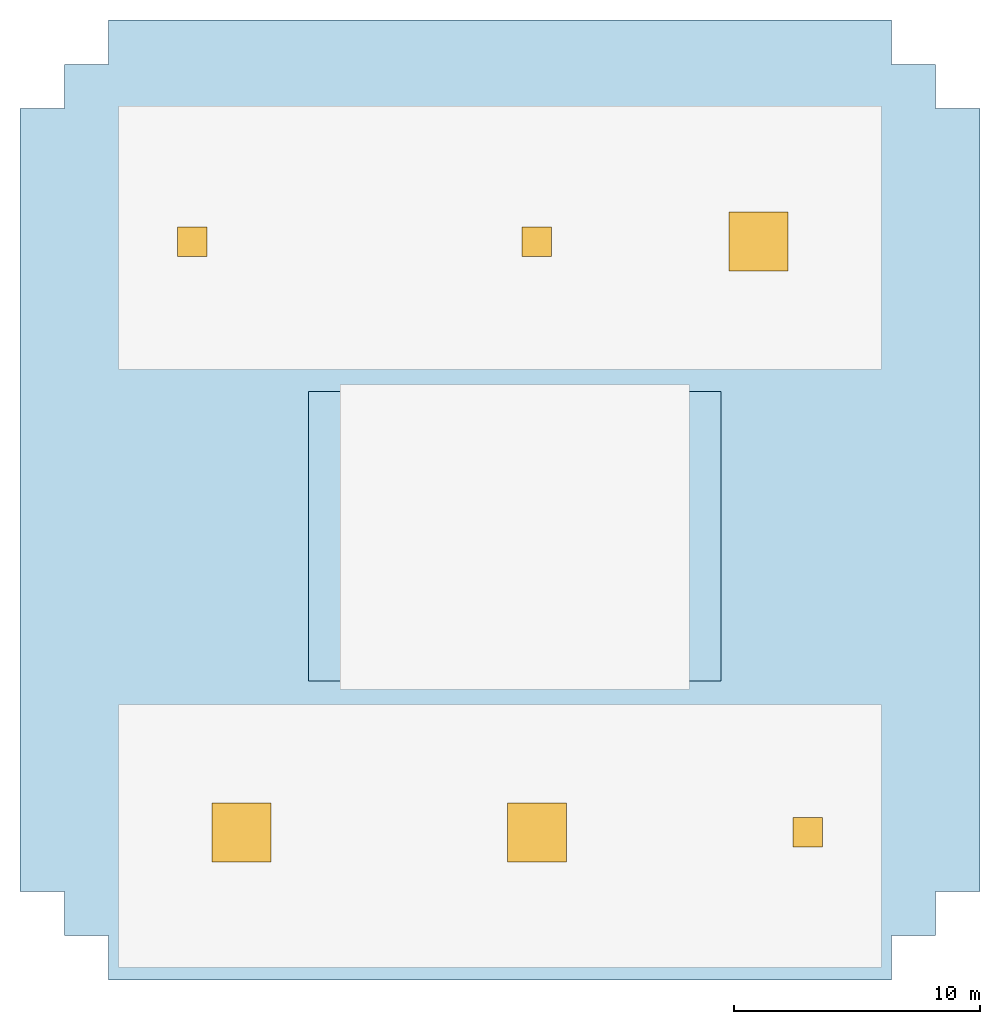
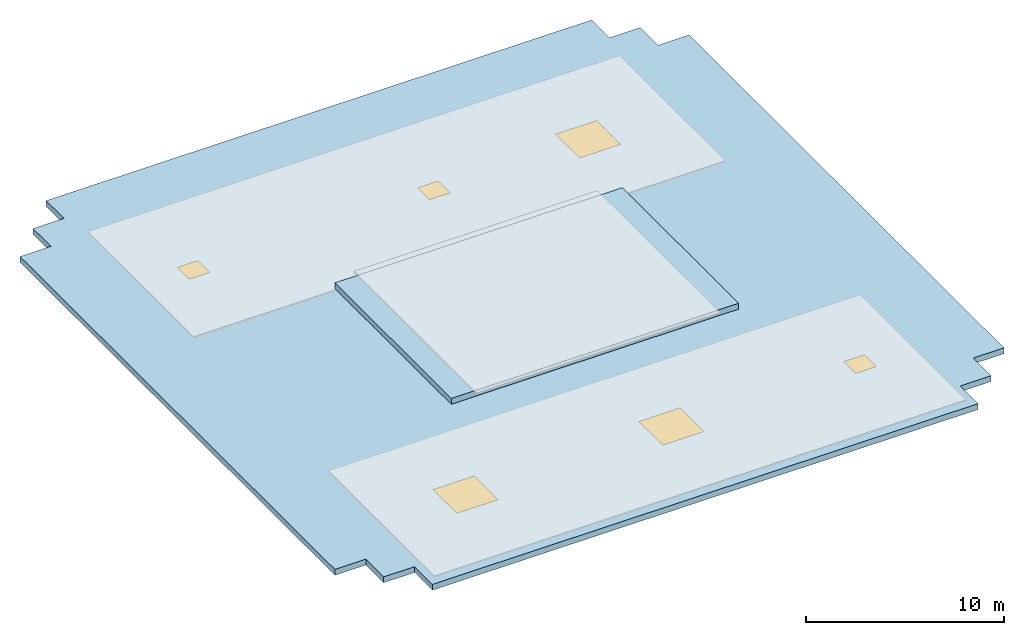
# One storey, part 1 of 2: 6 windows, 2 slabs, 6 openings.
"""IFC4 building model written with IfcOpenShell, lengths in metres."""

import ifcopenshell
import ifcopenshell.guid

model = None  # the IFC model being written
_history = None  # IfcOwnerHistory: only IFC2X3 demands one
_inside = {}  # id of a spatial element -> (the spatial element, [elements in it])
_under = {}  # id of a project, library or spatial element -> (it, [spatial elements below it])
_declared = {}  # id of a project -> (the project, [libraries it declares])
_typed = {}  # id of a type object -> (the type object, [elements of that type])
_made_of = {}  # id of a material, layer set ... -> (it, [elements and type objects made of it])


def new_model(schema):
    """Start an empty IFC model of exactly this schema.

    Asked for "IFC4X3", IfcOpenShell would pick the latest addendum, in which some entities
    have other attributes; the version numbers below select the first issue.
    IFC2X3 requires an IfcOwnerHistory on every rooted entity: one is made here for all.
    """
    global model, _history
    if schema == "IFC4X3":
        model = ifcopenshell.file(schema_version=(4, 3, 0, 0))
    else:
        model = ifcopenshell.file(schema=schema)
    _inside.clear()
    _under.clear()
    _declared.clear()
    _typed.clear()
    _made_of.clear()
    _history = None
    if model.schema == "IFC2X3":
        org = make("IfcOrganization", Name="unknown")
        user = make(
            "IfcPersonAndOrganization",
            ThePerson=make("IfcPerson", FamilyName="unknown"),
            TheOrganization=org,
        )
        app = make(
            "IfcApplication",
            ApplicationDeveloper=org,
            Version="unknown",
            ApplicationFullName="unknown",
            ApplicationIdentifier="unknown",
        )
        _history = make(
            "IfcOwnerHistory",
            OwningUser=user,
            OwningApplication=app,
            ChangeAction="ADDED",
            CreationDate=0,
        )
    return model


def make(cls, **values):
    """One entity of the class cls with the attributes given. An attribute that is None is left unset."""
    return model.create_entity(
        cls, **{name: value for name, value in values.items() if value is not None}
    )


def rooted(cls, **values):
    """An entity with a GlobalId (a new one), such as an element, a storey or a relation."""
    return make(cls, GlobalId=ifcopenshell.guid.new(), OwnerHistory=_history, **values)


def si_unit(unit_type, name, prefix=None):
    """IfcSIUnit, for example si_unit("LENGTHUNIT", "METRE", prefix="MILLI")."""
    return make("IfcSIUnit", UnitType=unit_type, Prefix=prefix, Name=name)


def assignment(units):
    """IfcUnitAssignment: the units of a project."""
    return None if units is None else make("IfcUnitAssignment", Units=units)


def point(xyz):
    """IfcCartesianPoint."""
    return None if xyz is None else make("IfcCartesianPoint", Coordinates=xyz)


def direction(xyz):
    """IfcDirection."""
    return None if xyz is None else make("IfcDirection", DirectionRatios=xyz)


def frame(location, z_axis=None, x_axis=None):
    """IfcAxis2Placement3D, a coordinate frame: its origin and axes. An axis left out is left unset."""
    return make(
        "IfcAxis2Placement3D",
        Location=point(location),
        Axis=direction(z_axis),
        RefDirection=direction(x_axis),
    )


def frame_2d(location, x_axis=None):
    """IfcAxis2Placement2D, a coordinate frame in the plane: its origin and x axis."""
    return make(
        "IfcAxis2Placement2D", Location=point(location), RefDirection=direction(x_axis)
    )


def origin():
    """The frame at (0, 0, 0) with its axes left unset."""
    return frame((0.0, 0.0, 0.0))


def origin_2d():
    """The frame at (0, 0) in the plane with its x axis left unset."""
    return frame_2d((0.0, 0.0))


def place(relative_to, where):
    """IfcLocalPlacement: puts the frame where relative to a parent placement (None: the world)."""
    return make(
        "IfcLocalPlacement", PlacementRelTo=relative_to, RelativePlacement=where
    )


def context(
    kind, dimensions, precision=None, world=None, true_north=None, identifier=None
):
    """IfcGeometricRepresentationContext, for example the 3D "Model" context."""
    return make(
        "IfcGeometricRepresentationContext",
        ContextIdentifier=identifier,
        ContextType=kind,
        CoordinateSpaceDimension=dimensions,
        Precision=precision,
        WorldCoordinateSystem=world,
        TrueNorth=true_north,
    )


def subcontext(parent, identifier, kind, view, scale=None):
    """IfcGeometricRepresentationSubContext, for example "Body" below "Model"."""
    return make(
        "IfcGeometricRepresentationSubContext",
        ContextIdentifier=identifier,
        ContextType=kind,
        ParentContext=parent,
        TargetScale=scale,
        TargetView=view,
    )


def project(units=None, contexts=None):
    """IfcProject with its units and contexts."""
    return rooted(
        "IfcProject",
        Name="project",
        RepresentationContexts=contexts,
        UnitsInContext=assignment(units),
    )


def spatial(cls, under=None, at=None, **own):
    """A site, building, storey or space (cls), placed at a placement, below another one or the project."""
    s = rooted(cls, ObjectPlacement=at, **own)
    if under is not None:
        _under.setdefault(under.id(), (under, []))[1].append(s)
    return s


def polyline(points):
    """IfcPolyline through the points."""
    return make("IfcPolyline", Points=[point(p) for p in points])


def profile(cls, at=None, kind="AREA", **sizes):
    """A parametric profile (cls). Its sizes go by their IFC names, for example OverallWidth=200.0."""
    return make(cls, ProfileType=kind, Position=at, **sizes)


def rectangle(**sizes):
    """IfcRectangleProfileDef."""
    return profile("IfcRectangleProfileDef", **sizes)


def outline(outer, holes=None, kind="AREA"):
    """IfcArbitraryClosedProfileDef: a profile drawn as a closed curve; with holes, ...WithVoids."""
    if holes is None:
        return make("IfcArbitraryClosedProfileDef", ProfileType=kind, OuterCurve=outer)
    return make(
        "IfcArbitraryProfileDefWithVoids",
        ProfileType=kind,
        OuterCurve=outer,
        InnerCurves=holes,
    )


def extrude(swept, where, along, depth):
    """IfcExtrudedAreaSolid: the profile swept, set in the frame where, extruded along a direction by depth."""
    return make(
        "IfcExtrudedAreaSolid",
        SweptArea=swept,
        Position=where,
        ExtrudedDirection=direction(along),
        Depth=depth,
    )


def shape(context_of_items, identifier, shape_type, items):
    """IfcShapeRepresentation: the items that make up one representation, for example the "Body"."""
    return make(
        "IfcShapeRepresentation",
        ContextOfItems=context_of_items,
        RepresentationIdentifier=identifier,
        RepresentationType=shape_type,
        Items=items,
    )


def material(Name=None, Category=None):
    """IfcMaterial."""
    return make("IfcMaterial", Name=Name, Category=Category)


def layer(
    of_material, thickness, ventilated=None, Name=None, Category=None, Priority=None
):
    """IfcMaterialLayer: one layer of a wall or slab, of a material (None: an air gap)."""
    return make(
        "IfcMaterialLayer",
        Material=of_material,
        LayerThickness=thickness,
        IsVentilated=ventilated,
        Name=Name,
        Category=Category,
        Priority=Priority,
    )


def layer_set(layers, Name=None):
    """IfcMaterialLayerSet."""
    return make("IfcMaterialLayerSet", MaterialLayers=layers, LayerSetName=Name)


def made_of(thing, what):
    """Note that an element or type object is made of a material, layer set ...; save() writes the relation."""
    if what is not None:
        _made_of.setdefault(what.id(), (what, []))[1].append(thing)
    return thing


def type_object(cls, material=None, **own):
    """A type object (cls), such as IfcWallType, which elements share."""
    return made_of(rooted(cls, **own), material)


def element(
    cls,
    number,
    at=None,
    inside=None,
    cuts=None,
    type_object=None,
    material=None,
    context=None,
    identifier="Body",
    shape_type=None,
    held_by="IfcProductDefinitionShape",
    body=None,
    shapes=None,
    **own,
):
    """One element of the class cls, such as IfcWall. Its Tag is "e" and its number.

    at: its placement. inside: the storey or other place that contains it. cuts: it is an
    opening in that element (IfcRelVoidsElement). A single representation is given by context,
    identifier, shape_type and body (its items); several are given by shapes. held_by: the class
    of the entity that holds the representations. save() writes the other relations.
    """
    e = rooted(cls, Tag="e%d" % number, ObjectPlacement=at, **own)
    if body is not None:
        shapes = [shape(context, identifier, shape_type, body)]
    if shapes is not None:
        e.Representation = make(held_by, Representations=shapes)
    if inside is not None:
        _inside.setdefault(inside.id(), (inside, []))[1].append(e)
    if cuts is not None:
        rooted(
            "IfcRelVoidsElement", RelatingBuildingElement=cuts, RelatedOpeningElement=e
        )
    if type_object is not None:
        _typed.setdefault(type_object.id(), (type_object, []))[1].append(e)
    return made_of(e, material)


def fill(opening, filler):
    """IfcRelFillsElement: the door or window that sits in an opening."""
    return rooted(
        "IfcRelFillsElement",
        RelatingOpeningElement=opening,
        RelatedBuildingElement=filler,
    )


def aggregate(whole, parts):
    """IfcRelAggregates: a whole, such as a stair, and the parts it consists of."""
    return rooted("IfcRelAggregates", RelatingObject=whole, RelatedObjects=parts)


def save(model, path):
    """Write the relations noted so far, then the file.

    IfcRelAggregates (storeys below a building ...), IfcRelContainedInSpatialStructure (elements
    in a storey), IfcRelDefinesByType, IfcRelAssociatesMaterial and IfcRelDeclares: one each for
    every whole, place, type object, material and project.
    """
    for whole, parts in _under.values():
        aggregate(whole, parts)
    for where, things in _inside.values():
        rooted(
            "IfcRelContainedInSpatialStructure",
            RelatedElements=things,
            RelatingStructure=where,
        )
    for kind, things in _typed.values():
        rooted("IfcRelDefinesByType", RelatedObjects=things, RelatingType=kind)
    for what, things in _made_of.values():
        rooted("IfcRelAssociatesMaterial", RelatedObjects=things, RelatingMaterial=what)
    for by, libraries in _declared.values():
        rooted("IfcRelDeclares", RelatingContext=by, RelatedDefinitions=libraries)
    model.write(path)


model = new_model("IFC4")

# Units and contexts
model_context = context("Model", 3, precision=1e-05, world=origin(), true_north=direction((0.0, 1.0)))
body_context = subcontext(model_context, "Body", "Model", "MODEL_VIEW")
ifc_project = project(units=[si_unit("LENGTHUNIT", "METRE"), si_unit("AREAUNIT", "SQUARE_METRE"), si_unit("VOLUMEUNIT", "CUBIC_METRE"), si_unit("PLANEANGLEUNIT", "RADIAN"), si_unit("MASSUNIT", "GRAM", prefix="KILO")], contexts=[model_context])

# Site, building, storey
site_placement = place(None, origin())
site = spatial("IfcSite", under=ifc_project, at=site_placement, CompositionType="ELEMENT")
building_placement = place(site_placement, origin())
building = spatial("IfcBuilding", under=site, at=building_placement, Name="Khoralis Quay Care Tower", CompositionType="ELEMENT")
storey_placement = place(building_placement, frame((0.0, 0.0, 318.89990234375)))
storey = spatial("IfcBuildingStorey", under=building, at=storey_placement, Name="RF", CompositionType="ELEMENT", Elevation=318.89990234375)

# Slab, openings, windows
ifc_material_1 = material(Name="Concrete C45/55", Category="concrete")
ifc_layer = layer(ifc_material_1, 0.360107421875)
ifc_layer_set = layer_set([ifc_layer], Name="Concrete C45/55")
slab_type = type_object("IfcSlabType", Name="SLB-ROOF-TWR-360", PredefinedType="ROOF", material=ifc_layer_set)
slab_1_placement = place(storey_placement, frame((0.0, 0.0, -0.35986328125)))
slab_1 = element("IfcSlab", 1, at=slab_1_placement, inside=storey, type_object=slab_type, Name="Tower Lantern Main Roof Slab", PredefinedType="ROOF", context=body_context, shape_type="SweptSolid", body=[
    extrude(outline(polyline([(6.60009765625, 3.0), (38.39990234375, 3.0), (38.39990234375, 4.800048828125), (40.199951171875, 4.800048828125), (40.199951171875, 6.60009765625), (42.0, 6.60009765625), (42.0, 38.39990234375), (40.199951171875, 38.39990234375), (40.199951171875, 40.199951171875), (38.39990234375, 40.199951171875), (38.39990234375, 42.0), (6.60009765625, 42.0), (6.60009765625, 40.199951171875), (4.800048828125, 40.199951171875), (4.800048828125, 38.39990234375), (3.0, 38.39990234375), (3.0, 6.60009765625), (4.800048828125, 6.60009765625), (4.800048828125, 4.800048828125), (6.60009765625, 4.800048828125), (6.60009765625, 3.0)])), origin(), (0.0, 0.0, 1.0), 0.35986328125),
])
opening_1_placement = place(slab_1_placement, frame((12.0, 9.0, -0.010009765625)))
opening_1 = element("IfcOpeningElement", 2, at=opening_1_placement, cuts=slab_1, Name="Opening SK1", PredefinedType="OPENING", context=body_context, shape_type="SweptSolid", body=[
    extrude(rectangle(XDim=2.39990234375, YDim=2.39990234375, at=origin_2d()), origin(), (0.0, 0.0, 1.0), 0.3798828125),
])
opening_2_placement = place(slab_1_placement, frame((24.0, 9.0, -0.010009765625)))
opening_2 = element("IfcOpeningElement", 3, at=opening_2_placement, cuts=slab_1, Name="Opening SK1", PredefinedType="OPENING", context=body_context, shape_type="SweptSolid", body=[
    extrude(rectangle(XDim=2.39990234375, YDim=2.39990234375, at=origin_2d()), origin(), (0.0, 0.0, 1.0), 0.3798828125),
])
opening_3_placement = place(slab_1_placement, frame((33.0, 33.0, -0.010009765625)))
opening_3 = element("IfcOpeningElement", 4, at=opening_3_placement, cuts=slab_1, Name="Opening SK1", PredefinedType="OPENING", context=body_context, shape_type="SweptSolid", body=[
    extrude(rectangle(XDim=2.39990234375, YDim=2.39990234375, at=origin_2d()), origin(), (0.0, 0.0, 1.0), 0.3798828125),
])
opening_4_placement = place(slab_1_placement, frame((10.0, 33.0, -0.010009765625)))
opening_4 = element("IfcOpeningElement", 5, at=opening_4_placement, cuts=slab_1, Name="Opening RH1", PredefinedType="OPENING", context=body_context, shape_type="SweptSolid", body=[
    extrude(rectangle(XDim=1.199951171875, YDim=1.199951171875, at=origin_2d()), origin(), (0.0, 0.0, 1.0), 0.3798828125),
])
opening_5_placement = place(slab_1_placement, frame((24.0, 33.0, -0.010009765625)))
opening_5 = element("IfcOpeningElement", 6, at=opening_5_placement, cuts=slab_1, Name="Opening RH1", PredefinedType="OPENING", context=body_context, shape_type="SweptSolid", body=[
    extrude(rectangle(XDim=1.199951171875, YDim=1.199951171875, at=origin_2d()), origin(), (0.0, 0.0, 1.0), 0.3798828125),
])
opening_6_placement = place(slab_1_placement, frame((35.0, 9.0, -0.010009765625)))
opening_6 = element("IfcOpeningElement", 7, at=opening_6_placement, cuts=slab_1, Name="Opening RH1", PredefinedType="OPENING", context=body_context, shape_type="SweptSolid", body=[
    extrude(rectangle(XDim=1.199951171875, YDim=1.199951171875, at=origin_2d()), origin(), (0.0, 0.0, 1.0), 0.3798828125),
])
ifc_material_2 = material(Name="Low-E solar-control double glazing", Category="glass")
window_type_1 = type_object("IfcWindowType", Name="WN-HATCH-1200X1200", PartitioningType="SINGLE_PANEL", PredefinedType="SKYLIGHT", material=ifc_material_2)
window_1_placement = place(slab_1_placement, frame((10.0, 33.0, 0.309814453125)))
window_1 = element("IfcWindow", 8, at=window_1_placement, inside=storey, type_object=window_type_1, Name="Tower Maintenance Roof Hatch 1", OverallHeight=1.199951171875, OverallWidth=1.199951171875, PartitioningType="SINGLE_PANEL", PredefinedType="SKYLIGHT", context=body_context, shape_type="SweptSolid", body=[
    extrude(rectangle(XDim=1.199951171875, YDim=1.199951171875, at=origin_2d()), origin(), (0.0, 0.0, 1.0), 0.050048828125),
])
fill(opening_4, window_1)
window_2_placement = place(slab_1_placement, frame((24.0, 33.0, 0.309814453125)))
window_2 = element("IfcWindow", 9, at=window_2_placement, inside=storey, type_object=window_type_1, Name="Tower Maintenance Roof Hatch 2", OverallHeight=1.199951171875, OverallWidth=1.199951171875, PartitioningType="SINGLE_PANEL", PredefinedType="SKYLIGHT", context=body_context, shape_type="SweptSolid", body=[
    extrude(rectangle(XDim=1.199951171875, YDim=1.199951171875, at=origin_2d()), origin(), (0.0, 0.0, 1.0), 0.050048828125),
])
fill(opening_5, window_2)
window_3_placement = place(slab_1_placement, frame((35.0, 9.0, 0.309814453125)))
window_3 = element("IfcWindow", 10, at=window_3_placement, inside=storey, type_object=window_type_1, Name="Tower Maintenance Roof Hatch 3", OverallHeight=1.199951171875, OverallWidth=1.199951171875, PartitioningType="SINGLE_PANEL", PredefinedType="SKYLIGHT", context=body_context, shape_type="SweptSolid", body=[
    extrude(rectangle(XDim=1.199951171875, YDim=1.199951171875, at=origin_2d()), origin(), (0.0, 0.0, 1.0), 0.050048828125),
])
fill(opening_6, window_3)
window_type_2 = type_object("IfcWindowType", Name="WN-SKY-2400X2400", PartitioningType="SINGLE_PANEL", PredefinedType="SKYLIGHT", material=ifc_material_2)
window_4_placement = place(slab_1_placement, frame((12.0, 9.0, 0.309814453125)))
window_4 = element("IfcWindow", 11, at=window_4_placement, inside=storey, type_object=window_type_2, Name="Lantern Roof Skylight 1", OverallHeight=2.39990234375, OverallWidth=2.39990234375, PartitioningType="SINGLE_PANEL", PredefinedType="SKYLIGHT", context=body_context, shape_type="SweptSolid", body=[
    extrude(rectangle(XDim=2.39990234375, YDim=2.39990234375, at=origin_2d()), origin(), (0.0, 0.0, 1.0), 0.050048828125),
])
fill(opening_1, window_4)
window_5_placement = place(slab_1_placement, frame((24.0, 9.0, 0.309814453125)))
window_5 = element("IfcWindow", 12, at=window_5_placement, inside=storey, type_object=window_type_2, Name="Lantern Roof Skylight 2", OverallHeight=2.39990234375, OverallWidth=2.39990234375, PartitioningType="SINGLE_PANEL", PredefinedType="SKYLIGHT", context=body_context, shape_type="SweptSolid", body=[
    extrude(rectangle(XDim=2.39990234375, YDim=2.39990234375, at=origin_2d()), origin(), (0.0, 0.0, 1.0), 0.050048828125),
])
fill(opening_2, window_5)
window_6_placement = place(slab_1_placement, frame((33.0, 33.0, 0.309814453125)))
window_6 = element("IfcWindow", 13, at=window_6_placement, inside=storey, type_object=window_type_2, Name="Lantern Roof Skylight 3", OverallHeight=2.39990234375, OverallWidth=2.39990234375, PartitioningType="SINGLE_PANEL", PredefinedType="SKYLIGHT", context=body_context, shape_type="SweptSolid", body=[
    extrude(rectangle(XDim=2.39990234375, YDim=2.39990234375, at=origin_2d()), origin(), (0.0, 0.0, 1.0), 0.050048828125),
])
fill(opening_3, window_6)

# Slab
slab_2_placement = place(storey_placement, frame((0.0, 0.0, 0.89013671875)))
element("IfcSlab", 14, at=slab_2_placement, inside=storey, type_object=slab_type, Name="Lantern Cupola Overrun Roof Slab", PredefinedType="ROOF", context=body_context, shape_type="SweptSolid", body=[
    extrude(outline(polyline([(14.719970703125, 15.14990234375), (31.469970703125, 15.14990234375), (31.469970703125, 26.89990234375), (14.719970703125, 26.89990234375), (14.719970703125, 15.14990234375)])), origin(), (0.0, 0.0, 1.0), 0.35986328125),
])

save(model, "model.ifc")
